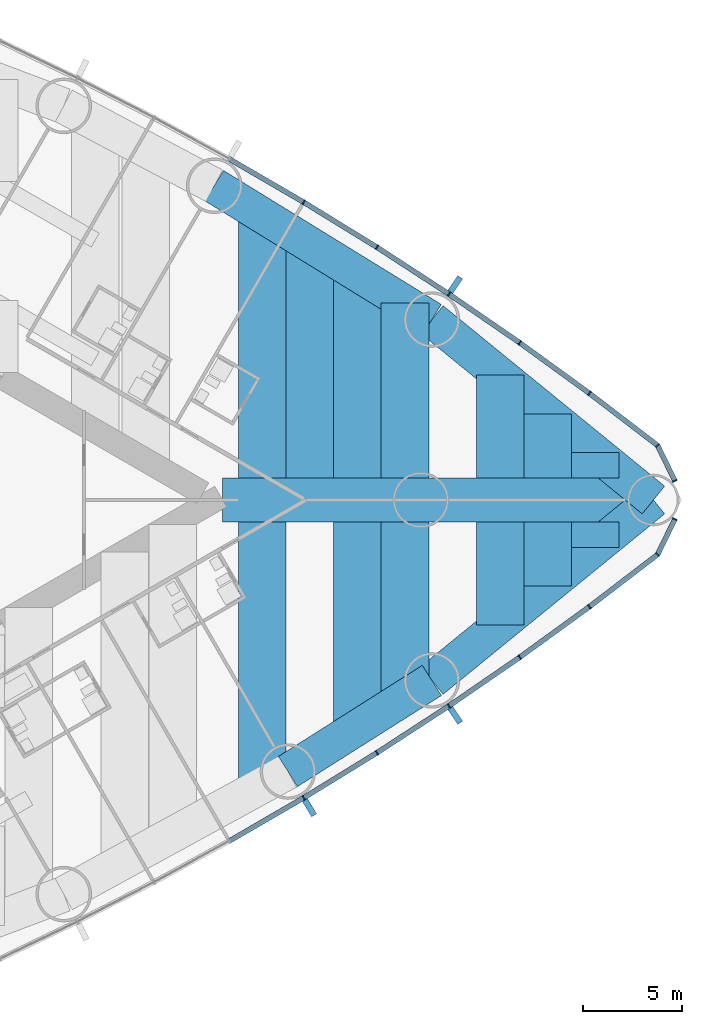
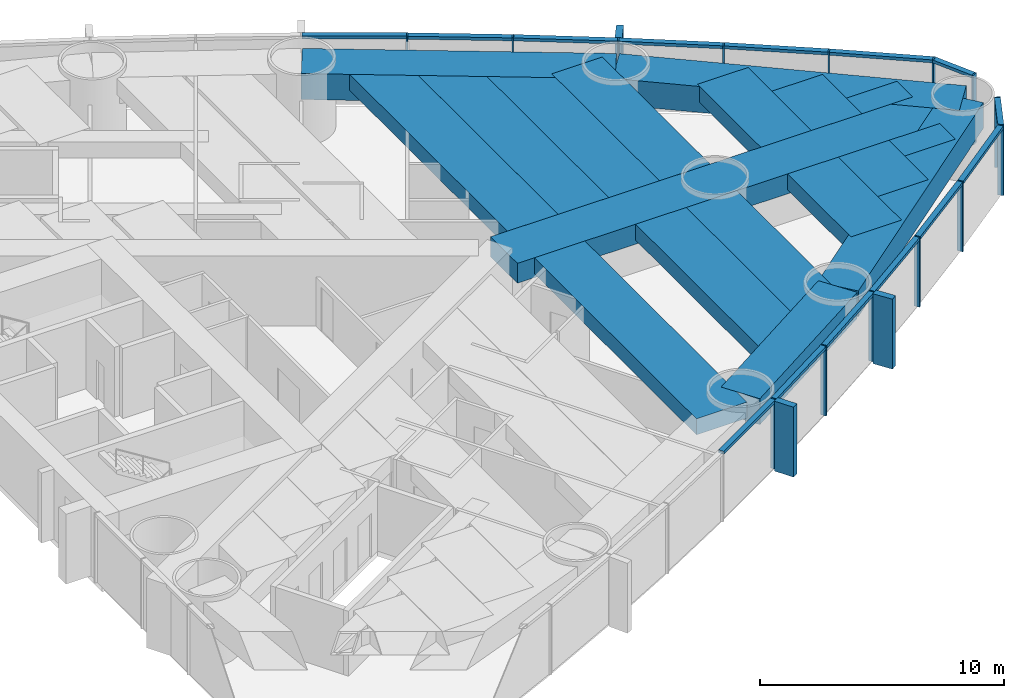
# One storey, part 8 of 19: 31 members, 18 beams, 2 elements without a shape of their own.
"""IFC4 building model written with IfcOpenShell, lengths in metres."""

from ifc_helpers import new_model, si_unit, direction, frame, origin, origin_2d, place, context, subcontext, project, spatial, rectangle, extrude, material, material_profile, profile_set, type_object, element, aggregate, save


model = new_model("IFC4")

# Units and contexts
model_context = context("Model", 3, precision=1e-05, world=origin(), true_north=direction((0.0, 1.0)))
body_context = subcontext(model_context, "Body", "Model", "MODEL_VIEW")
ifc_project = project(units=[si_unit("LENGTHUNIT", "METRE"), si_unit("AREAUNIT", "SQUARE_METRE"), si_unit("VOLUMEUNIT", "CUBIC_METRE"), si_unit("PLANEANGLEUNIT", "RADIAN"), si_unit("MASSUNIT", "GRAM", prefix="KILO")], contexts=[model_context])

# Site, building, storey
site_placement = place(None, origin())
site = spatial("IfcSite", under=ifc_project, at=site_placement, CompositionType="ELEMENT")
building_placement = place(site_placement, origin())
building = spatial("IfcBuilding", under=site, at=building_placement, Name="Lancet Gate Hotel", CompositionType="ELEMENT")
storey_placement = place(building_placement, frame((0.0, 0.0, 28.5)))
storey = spatial("IfcBuildingStorey", under=building, at=storey_placement, Name="L06", CompositionType="ELEMENT", Elevation=28.5)

# Curtain wall, members
ifc_material_1 = material(Name="Aluminium curtain wall", Category="aluminium")
curtain_wall_type = type_object("IfcCurtainWallType", Name="Tower unitised curtain wall", PredefinedType="USERDEFINED", material=ifc_material_1)
curtain_wall_1_placement = place(storey_placement, origin())
curtain_wall_1 = element("IfcCurtainWall", 1, at=curtain_wall_1_placement, inside=storey, type_object=curtain_wall_type, Name="T2 L06 curtain wall 2", ObjectType="UNITISED CURTAIN WALL", PredefinedType="USERDEFINED")
ifc_material_2 = material(Name="Aluminium mullion", Category="aluminium")
ifc_material_profile_1 = material_profile(ifc_material_2, rectangle(XDim=0.06494140625, YDim=0.25, at=origin_2d()), Name="MULLION 65x250")
ifc_profile_set_1 = profile_set([ifc_material_profile_1], Name="Aluminium mullion")
member_type_1 = type_object("IfcMemberType", Name="Aluminium mullion 65x250", PredefinedType="MULLION", material=ifc_profile_set_1)
member_1_placement = place(storey_placement, frame((55.590087890625, -15.03125, 0.0), z_axis=(0.0, 0.0, 1.0), x_axis=(0.858413008828, 0.512959166284, 0.0)))
member_1 = element("IfcMember", 2, at=member_1_placement, type_object=member_type_1, Name="T2 L06 curtain wall 2 mullion 8", PredefinedType="MULLION", context=body_context, shape_type="SweptSolid", body=[
    extrude(rectangle(XDim=0.06494140625, YDim=0.25, at=origin_2d()), origin(), (0.0, 0.0, 1.0), 3.5),
])
member_2_placement = place(storey_placement, frame((59.28515625, -12.7587890625, 0.0), z_axis=(0.0, 0.0, 1.0), x_axis=(0.845079420983, 0.534640788035, 0.0)))
member_2 = element("IfcMember", 3, at=member_2_placement, type_object=member_type_1, Name="T2 L06 curtain wall 2 mullion 9", PredefinedType="MULLION", context=body_context, shape_type="SweptSolid", body=[
    extrude(rectangle(XDim=0.06494140625, YDim=0.25, at=origin_2d()), origin(), (0.0, 0.0, 1.0), 3.5),
])
member_3_placement = place(storey_placement, frame((62.921142578125, -10.393310546875, 0.0), z_axis=(0.0, 0.0, 1.0), x_axis=(0.831198325377, 0.555976028162, 0.0)))
member_3 = element("IfcMember", 4, at=member_3_placement, type_object=member_type_1, Name="T2 L06 curtain wall 2 mullion 10", PredefinedType="MULLION", context=body_context, shape_type="SweptSolid", body=[
    extrude(rectangle(XDim=0.06494140625, YDim=0.25, at=origin_2d()), origin(), (0.0, 0.0, 1.0), 3.5),
])
member_4_placement = place(storey_placement, frame((66.49560546875, -7.935791015625, 0.0), z_axis=(0.0, 0.0, 1.0), x_axis=(0.816778715254, 0.576951064049, 0.0)))
member_4 = element("IfcMember", 5, at=member_4_placement, type_object=member_type_1, Name="T2 L06 curtain wall 2 mullion 11", PredefinedType="MULLION", context=body_context, shape_type="SweptSolid", body=[
    extrude(rectangle(XDim=0.06494140625, YDim=0.25, at=origin_2d()), origin(), (0.0, 0.0, 1.0), 3.5),
])
member_5_placement = place(storey_placement, frame((70.00634765625, -5.388427734375, 0.0), z_axis=(0.0, 0.0, 1.0), x_axis=(0.801829932754, 0.597552306447, 0.0)))
member_5 = element("IfcMember", 6, at=member_5_placement, type_object=member_type_1, Name="T2 L06 curtain wall 2 mullion 12", PredefinedType="MULLION", context=body_context, shape_type="SweptSolid", body=[
    extrude(rectangle(XDim=0.06494140625, YDim=0.25, at=origin_2d()), origin(), (0.0, 0.0, 1.0), 3.5),
])
member_6_placement = place(storey_placement, frame((73.451416015625, -2.752197265625, 0.0), z_axis=(0.0, 0.0, 1.0), x_axis=(0.697983022443, 0.716114306784, 0.0)))
member_6 = element("IfcMember", 7, at=member_6_placement, type_object=member_type_1, Name="T2 L06 curtain wall 2 mullion 13", PredefinedType="MULLION", context=body_context, shape_type="SweptSolid", body=[
    extrude(rectangle(XDim=0.06494140625, YDim=0.25, at=origin_2d()), origin(), (0.0, 0.0, 1.0), 3.5),
])
member_7_placement = place(storey_placement, frame((74.322265625, -0.96044921875, 0.0), z_axis=(0.0, 0.0, 1.0), x_axis=(0.437169070119, 0.899379343843, 0.0)))
member_7 = element("IfcMember", 8, at=member_7_placement, type_object=member_type_1, Name="T2 L06 curtain wall 2 mullion 14", PredefinedType="MULLION", context=body_context, shape_type="SweptSolid", body=[
    extrude(rectangle(XDim=0.06494140625, YDim=0.25, at=origin_2d()), origin(), (0.0, 0.0, 1.0), 3.5),
])

curtain_wall_2_placement = place(storey_placement, origin())
curtain_wall_2 = element("IfcCurtainWall", 9, at=curtain_wall_2_placement, inside=storey, type_object=curtain_wall_type, Name="T2 L06 curtain wall 3", ObjectType="UNITISED CURTAIN WALL", PredefinedType="USERDEFINED")
member_8_placement = place(storey_placement, frame((74.322265625, 0.96044921875, 0.0), z_axis=(0.0, 0.0, 1.0), x_axis=(-0.437169070119, 0.899379343843, 0.0)))
member_8 = element("IfcMember", 10, at=member_8_placement, type_object=member_type_1, Name="T2 L06 curtain wall 3 mullion 1", PredefinedType="MULLION", context=body_context, shape_type="SweptSolid", body=[
    extrude(rectangle(XDim=0.06494140625, YDim=0.25, at=origin_2d()), origin(), (0.0, 0.0, 1.0), 3.5),
])
member_9_placement = place(storey_placement, frame((73.451416015625, 2.752197265625, 0.0), z_axis=(0.0, 0.0, 1.0), x_axis=(-0.697983022443, 0.716114306784, 0.0)))
member_9 = element("IfcMember", 11, at=member_9_placement, type_object=member_type_1, Name="T2 L06 curtain wall 3 mullion 2", PredefinedType="MULLION", context=body_context, shape_type="SweptSolid", body=[
    extrude(rectangle(XDim=0.06494140625, YDim=0.25, at=origin_2d()), origin(), (0.0, 0.0, 1.0), 3.5),
])
member_10_placement = place(storey_placement, frame((70.00634765625, 5.388427734375, 0.0), z_axis=(0.0, 0.0, 1.0), x_axis=(-0.801829932754, 0.597552306447, 0.0)))
member_10 = element("IfcMember", 12, at=member_10_placement, type_object=member_type_1, Name="T2 L06 curtain wall 3 mullion 3", PredefinedType="MULLION", context=body_context, shape_type="SweptSolid", body=[
    extrude(rectangle(XDim=0.06494140625, YDim=0.25, at=origin_2d()), origin(), (0.0, 0.0, 1.0), 3.5),
])
member_11_placement = place(storey_placement, frame((66.49560546875, 7.935791015625, 0.0), z_axis=(0.0, 0.0, 1.0), x_axis=(-0.816778715254, 0.576951064049, 0.0)))
member_11 = element("IfcMember", 13, at=member_11_placement, type_object=member_type_1, Name="T2 L06 curtain wall 3 mullion 4", PredefinedType="MULLION", context=body_context, shape_type="SweptSolid", body=[
    extrude(rectangle(XDim=0.06494140625, YDim=0.25, at=origin_2d()), origin(), (0.0, 0.0, 1.0), 3.5),
])
member_12_placement = place(storey_placement, frame((62.921142578125, 10.393310546875, 0.0), z_axis=(0.0, 0.0, 1.0), x_axis=(-0.831198325377, 0.555976028162, 0.0)))
member_12 = element("IfcMember", 14, at=member_12_placement, type_object=member_type_1, Name="T2 L06 curtain wall 3 mullion 5", PredefinedType="MULLION", context=body_context, shape_type="SweptSolid", body=[
    extrude(rectangle(XDim=0.06494140625, YDim=0.25, at=origin_2d()), origin(), (0.0, 0.0, 1.0), 3.5),
])
member_13_placement = place(storey_placement, frame((59.28515625, 12.7587890625, 0.0), z_axis=(0.0, 0.0, 1.0), x_axis=(-0.845079420983, 0.534640788035, 0.0)))
member_13 = element("IfcMember", 15, at=member_13_placement, type_object=member_type_1, Name="T2 L06 curtain wall 3 mullion 6", PredefinedType="MULLION", context=body_context, shape_type="SweptSolid", body=[
    extrude(rectangle(XDim=0.06494140625, YDim=0.25, at=origin_2d()), origin(), (0.0, 0.0, 1.0), 3.5),
])
member_14_placement = place(storey_placement, frame((55.590087890625, 15.03125, 0.0), z_axis=(0.0, 0.0, 1.0), x_axis=(-0.858413008828, 0.512959166284, 0.0)))
member_14 = element("IfcMember", 16, at=member_14_placement, type_object=member_type_1, Name="T2 L06 curtain wall 3 mullion 7", PredefinedType="MULLION", context=body_context, shape_type="SweptSolid", body=[
    extrude(rectangle(XDim=0.06494140625, YDim=0.25, at=origin_2d()), origin(), (0.0, 0.0, 1.0), 3.5),
])

# Member
ifc_material_3 = material(Name="Aluminium transom", Category="aluminium")
ifc_material_profile_2 = material_profile(ifc_material_3, rectangle(XDim=0.25, YDim=0.14990234375, at=origin_2d()), Name="TRANSOM 250x150")
ifc_profile_set_2 = profile_set([ifc_material_profile_2], Name="Aluminium transom")
member_type_2 = type_object("IfcMemberType", Name="Aluminium transom 250x150", PredefinedType="USERDEFINED", material=ifc_profile_set_2)
member_15_placement = place(storey_placement, frame((51.86669921875, -17.1923828125, 3.425048828125), z_axis=(0.864854571156, 0.502022480324, 0.0), x_axis=(-0.502022480324, 0.864854571156, 0.0)))
member_15 = element("IfcMember", 17, at=member_15_placement, type_object=member_type_2, Name="T2 L06 curtain wall 2 transom 7", ObjectType="TRANSOM", PredefinedType="USERDEFINED", context=body_context, shape_type="SweptSolid", body=[
    extrude(rectangle(XDim=0.25, YDim=0.14990234375, at=origin_2d()), origin(), (0.0, 0.0, 1.0), 4.272705078125),
])

member_16_placement = place(storey_placement, frame((55.617919921875, -15.01416015625, 3.425048828125), z_axis=(0.851815224451, 0.523842365023, 0.0), x_axis=(-0.523842365023, 0.851815224451, 0.0)))
member_16 = element("IfcMember", 18, at=member_16_placement, type_object=member_type_2, Name="T2 L06 curtain wall 2 transom 8", ObjectType="TRANSOM", PredefinedType="USERDEFINED", context=body_context, shape_type="SweptSolid", body=[
    extrude(rectangle(XDim=0.25, YDim=0.14990234375, at=origin_2d()), origin(), (0.0, 0.0, 1.0), 4.272705078125),
])

member_17_placement = place(storey_placement, frame((59.3125, -12.7412109375, 3.425048828125), z_axis=(0.83817850664, 0.545395994674, 0.0), x_axis=(-0.545395994674, 0.83817850664, 0.0)))
member_17 = element("IfcMember", 19, at=member_17_placement, type_object=member_type_2, Name="T2 L06 curtain wall 2 transom 9", ObjectType="TRANSOM", PredefinedType="USERDEFINED", context=body_context, shape_type="SweptSolid", body=[
    extrude(rectangle(XDim=0.25, YDim=0.14990234375, at=origin_2d()), origin(), (0.0, 0.0, 1.0), 4.272705078125),
])

member_18_placement = place(storey_placement, frame((62.94775390625, -10.374755859375, 3.425048828125), z_axis=(0.824071932869, 0.566485171437, 0.0), x_axis=(-0.566485171437, 0.824071932869, 0.0)))
member_18 = element("IfcMember", 20, at=member_18_placement, type_object=member_type_2, Name="T2 L06 curtain wall 2 transom 10", ObjectType="TRANSOM", PredefinedType="USERDEFINED", context=body_context, shape_type="SweptSolid", body=[
    extrude(rectangle(XDim=0.25, YDim=0.14990234375, at=origin_2d()), origin(), (0.0, 0.0, 1.0), 4.272705078125),
])

member_19_placement = place(storey_placement, frame((66.52197265625, -7.916748046875, 3.425048828125), z_axis=(0.809382971085, 0.587281198505, 0.0), x_axis=(-0.587281198505, 0.809382971085, 0.0)))
member_19 = element("IfcMember", 21, at=member_19_placement, type_object=member_type_2, Name="T2 L06 curtain wall 2 transom 11", ObjectType="TRANSOM", PredefinedType="USERDEFINED", context=body_context, shape_type="SweptSolid", body=[
    extrude(rectangle(XDim=0.25, YDim=0.14990234375, at=origin_2d()), origin(), (0.0, 0.0, 1.0), 4.272705078125),
])

member_20_placement = place(storey_placement, frame((70.0322265625, -5.36865234375, 3.425048828125), z_axis=(0.794155062652, 0.607715177089, 0.0), x_axis=(-0.607715177089, 0.794155062652, 0.0)))
member_20 = element("IfcMember", 22, at=member_20_placement, type_object=member_type_2, Name="T2 L06 curtain wall 2 transom 12", ObjectType="TRANSOM", PredefinedType="USERDEFINED", context=body_context, shape_type="SweptSolid", body=[
    extrude(rectangle(XDim=0.25, YDim=0.14990234375, at=origin_2d()), origin(), (0.0, 0.0, 1.0), 4.27294921875),
])

member_21_placement = place(storey_placement, frame((73.465576171875, -2.72314453125, 3.425048828125), z_axis=(0.437103060611, 0.899411426659, 0.0), x_axis=(-0.899411426659, 0.437103060611, 0.0)))
member_21 = element("IfcMember", 23, at=member_21_placement, type_object=member_type_2, Name="T2 L06 curtain wall 2 transom 13", ObjectType="TRANSOM", PredefinedType="USERDEFINED", context=body_context, shape_type="SweptSolid", body=[
    extrude(rectangle(XDim=0.25, YDim=0.14990234375, at=origin_2d()), origin(), (0.0, 0.0, 1.0), 1.927490234375),
])

member_22_placement = place(storey_placement, frame((74.30810546875, 0.989501953125, 3.425048828125), z_axis=(-0.437103060611, 0.899411426659, 0.0), x_axis=(-0.899411426659, -0.437103060611, 0.0)))
member_22 = element("IfcMember", 24, at=member_22_placement, type_object=member_type_2, Name="T2 L06 curtain wall 3 transom 1", ObjectType="TRANSOM", PredefinedType="USERDEFINED", context=body_context, shape_type="SweptSolid", body=[
    extrude(rectangle(XDim=0.25, YDim=0.14990234375, at=origin_2d()), origin(), (0.0, 0.0, 1.0), 1.927490234375),
])

member_23_placement = place(storey_placement, frame((73.425537109375, 2.77197265625, 3.425048828125), z_axis=(-0.794155062652, 0.607715177089, 0.0), x_axis=(-0.607715177089, -0.794155062652, 0.0)))
member_23 = element("IfcMember", 25, at=member_23_placement, type_object=member_type_2, Name="T2 L06 curtain wall 3 transom 2", ObjectType="TRANSOM", PredefinedType="USERDEFINED", context=body_context, shape_type="SweptSolid", body=[
    extrude(rectangle(XDim=0.25, YDim=0.14990234375, at=origin_2d()), origin(), (0.0, 0.0, 1.0), 4.27294921875),
])

member_24_placement = place(storey_placement, frame((69.980224609375, 5.407470703125, 3.425048828125), z_axis=(-0.809382971085, 0.587281198505, 0.0), x_axis=(-0.587281198505, -0.809382971085, 0.0)))
member_24 = element("IfcMember", 26, at=member_24_placement, type_object=member_type_2, Name="T2 L06 curtain wall 3 transom 3", ObjectType="TRANSOM", PredefinedType="USERDEFINED", context=body_context, shape_type="SweptSolid", body=[
    extrude(rectangle(XDim=0.25, YDim=0.14990234375, at=origin_2d()), origin(), (0.0, 0.0, 1.0), 4.272705078125),
])

member_25_placement = place(storey_placement, frame((66.46875, 7.954345703125, 3.425048828125), z_axis=(-0.824071932869, 0.566485171437, 0.0), x_axis=(-0.566485171437, -0.824071932869, 0.0)))
member_25 = element("IfcMember", 27, at=member_25_placement, type_object=member_type_2, Name="T2 L06 curtain wall 3 transom 4", ObjectType="TRANSOM", PredefinedType="USERDEFINED", context=body_context, shape_type="SweptSolid", body=[
    extrude(rectangle(XDim=0.25, YDim=0.14990234375, at=origin_2d()), origin(), (0.0, 0.0, 1.0), 4.272705078125),
])

member_26_placement = place(storey_placement, frame((62.893798828125, 10.410888671875, 3.425048828125), z_axis=(-0.83817850664, 0.545395994674, 0.0), x_axis=(-0.545395994674, -0.83817850664, 0.0)))
member_26 = element("IfcMember", 28, at=member_26_placement, type_object=member_type_2, Name="T2 L06 curtain wall 3 transom 5", ObjectType="TRANSOM", PredefinedType="USERDEFINED", context=body_context, shape_type="SweptSolid", body=[
    extrude(rectangle(XDim=0.25, YDim=0.14990234375, at=origin_2d()), origin(), (0.0, 0.0, 1.0), 4.272705078125),
])

member_27_placement = place(storey_placement, frame((59.257568359375, 12.77587890625, 3.425048828125), z_axis=(-0.851815224451, 0.523842365023, 0.0), x_axis=(-0.523842365023, -0.851815224451, 0.0)))
member_27 = element("IfcMember", 29, at=member_27_placement, type_object=member_type_2, Name="T2 L06 curtain wall 3 transom 6", ObjectType="TRANSOM", PredefinedType="USERDEFINED", context=body_context, shape_type="SweptSolid", body=[
    extrude(rectangle(XDim=0.25, YDim=0.14990234375, at=origin_2d()), origin(), (0.0, 0.0, 1.0), 4.272705078125),
])

member_28_placement = place(storey_placement, frame((55.56201171875, 15.04736328125, 3.425048828125), z_axis=(-0.864854571156, 0.502022480324, 0.0), x_axis=(-0.502022480324, -0.864854571156, 0.0)))
member_28 = element("IfcMember", 30, at=member_28_placement, type_object=member_type_2, Name="T2 L06 curtain wall 3 transom 7", ObjectType="TRANSOM", PredefinedType="USERDEFINED", context=body_context, shape_type="SweptSolid", body=[
    extrude(rectangle(XDim=0.25, YDim=0.14990234375, at=origin_2d()), origin(), (0.0, 0.0, 1.0), 4.272705078125),
])

# Beams
ifc_material_4 = material(Name="Concrete C50/60", Category="concrete")
ifc_material_profile_3 = material_profile(ifc_material_4, rectangle(XDim=1.800048828125, YDim=1.300048828125, at=origin_2d()), Name="RC 1800x1300")
ifc_profile_set_3 = profile_set([ifc_material_profile_3], Name="Concrete C50/60")
beam_type_1 = type_object("IfcBeamType", Name="Edge beam RC 1800x1300", PredefinedType="SPANDREL", material=ifc_profile_set_3)
beam_1_placement = place(storey_placement, frame((54.795166015625, -13.70068359375, 2.60009765625), z_axis=(0.845078312276, 0.534642540508, 0.0), x_axis=(-0.534642540508, 0.845078312276, 0.0)))
element("IfcBeam", 31, at=beam_1_placement, inside=storey, type_object=beam_type_1, Name="T2 edge beam EB1 L06", PredefinedType="SPANDREL", context=body_context, shape_type="SweptSolid", body=[
    extrude(rectangle(XDim=1.800048828125, YDim=1.300048828125, at=origin_2d()), origin(), (0.0, 0.0, 1.0), 8.595947265625),
])
for number, where, z_axis, x_axis, name in (
    (32, (62.059326171875, -9.10498046875, 2.60009765625), (0.775390970005, 0.631481467372, 0.0), (-0.631481467372, 0.775390970005, 0.0), "T2 edge beam EB1 L06"),
    (33, (73.2392578125, 0.0, 2.60009765625), (-0.775390970005, 0.631481467372, 0.0), (-0.631481467372, -0.775390970005, 0.0), "T2 edge beam EB1 L06"),
):
    element("IfcBeam", number, at=place(storey_placement, frame(where, z_axis=z_axis, x_axis=x_axis)), inside=storey, type_object=beam_type_1, Name=name, PredefinedType="SPANDREL", context=body_context, shape_type="SweptSolid", body=[
        extrude(rectangle(XDim=1.800048828125, YDim=1.300048828125, at=origin_2d()), origin(), (0.0, 0.0, 1.0), 14.41845703125),
    ])
beam_2_placement = place(storey_placement, frame((62.059326171875, 9.10498046875, 2.60009765625), z_axis=(-0.851815628025, 0.523841708775, 0.0), x_axis=(-0.523841708775, -0.851815628025, 0.0)))
element("IfcBeam", 34, at=beam_2_placement, inside=storey, type_object=beam_type_1, Name="T2 edge beam EB1 L06", PredefinedType="SPANDREL", context=body_context, shape_type="SweptSolid", body=[
    extrude(rectangle(XDim=1.800048828125, YDim=1.300048828125, at=origin_2d()), origin(), (0.0, 0.0, 1.0), 12.89208984375),
])

# Member
ifc_material_5 = material(Name="Precast concrete C50/60", Category="concrete")
ifc_material_profile_4 = material_profile(ifc_material_5, rectangle(XDim=0.300048828125, YDim=0.89990234375, at=origin_2d()), Name="FIN 300x900")
ifc_profile_set_4 = profile_set([ifc_material_profile_4], Name="Precast concrete C50/60")
member_type_3 = type_object("IfcMemberType", Name="Exposed concrete fin 300x900", PredefinedType="USERDEFINED", material=ifc_profile_set_4)
member_29_placement = place(storey_placement, frame((55.88525390625, -15.524658203125, 0.0), z_axis=(0.0, 0.0, 1.0), x_axis=(0.858413008828, 0.512959166284, 0.0)))
member_29 = element("IfcMember", 35, at=member_29_placement, type_object=member_type_3, Name="T2 L06 curtain wall 2 fin 8", ObjectType="FIN", PredefinedType="USERDEFINED", context=body_context, shape_type="SweptSolid", body=[
    extrude(rectangle(XDim=0.300048828125, YDim=0.89990234375, at=origin_2d()), origin(), (0.0, 0.0, 1.0), 3.5),
])

member_30_placement = place(storey_placement, frame((63.24072265625, -10.87109375, 0.0), z_axis=(0.0, 0.0, 1.0), x_axis=(0.831198325377, 0.555976028162, 0.0)))
member_30 = element("IfcMember", 36, at=member_30_placement, type_object=member_type_3, Name="T2 L06 curtain wall 2 fin 10", ObjectType="FIN", PredefinedType="USERDEFINED", context=body_context, shape_type="SweptSolid", body=[
    extrude(rectangle(XDim=0.300048828125, YDim=0.89990234375, at=origin_2d()), origin(), (0.0, 0.0, 1.0), 3.5),
])

aggregate(curtain_wall_1, [member_1, member_29, member_2, member_3, member_30, member_4, member_5, member_6, member_7, member_15, member_16, member_17, member_18, member_19, member_20, member_21])

member_31_placement = place(storey_placement, frame((63.24072265625, 10.87109375, 0.0), z_axis=(0.0, 0.0, 1.0), x_axis=(-0.831198325377, 0.555976028162, 0.0)))
member_31 = element("IfcMember", 37, at=member_31_placement, type_object=member_type_3, Name="T2 L06 curtain wall 3 fin 5", ObjectType="FIN", PredefinedType="USERDEFINED", context=body_context, shape_type="SweptSolid", body=[
    extrude(rectangle(XDim=0.300048828125, YDim=0.89990234375, at=origin_2d()), origin(), (0.0, 0.0, 1.0), 3.5),
])

aggregate(curtain_wall_2, [member_8, member_9, member_10, member_11, member_12, member_31, member_13, member_14, member_22, member_23, member_24, member_25, member_26, member_27, member_28])

# Beams
ifc_material_6 = material(Name="Concrete C50/60", Category="concrete")
ifc_material_profile_5 = material_profile(ifc_material_6, rectangle(XDim=2.39990234375, YDim=0.800048828125, at=origin_2d()), Name="RC 2400x800")
ifc_profile_set_5 = profile_set([ifc_material_profile_5], Name="Concrete C50/60")
beam_type_2 = type_object("IfcBeamType", Name="Floor beam RC 2400x800", PredefinedType="BEAM", material=ifc_profile_set_5)
beam_3_placement = place(storey_placement, frame((53.502197265625, -14.40771484375, 2.85009765625), z_axis=(0.0, 1.0, 0.0), x_axis=(-1.0, 0.0, 0.0)))
element("IfcBeam", 38, at=beam_3_placement, inside=storey, type_object=beam_type_2, Name="T2 floor beam F16S L06", PredefinedType="BEAM", context=body_context, shape_type="SweptSolid", body=[
    extrude(rectangle(XDim=2.39990234375, YDim=0.800048828125, at=origin_2d()), origin(), (0.0, 0.0, 1.0), 13.3076171875),
])
beam_4_placement = place(storey_placement, frame((53.502197265625, 1.10009765625, 2.85009765625), z_axis=(0.0, 1.0, 0.0), x_axis=(-1.0, 0.0, 0.0)))
element("IfcBeam", 39, at=beam_4_placement, inside=storey, type_object=beam_type_2, Name="T2 floor beam F17N L06", PredefinedType="BEAM", context=body_context, shape_type="SweptSolid", body=[
    extrude(rectangle(XDim=2.39990234375, YDim=0.800048828125, at=origin_2d()), origin(), (0.0, 0.0, 1.0), 13.26708984375),
])
beam_5_placement = place(storey_placement, frame((55.90234375, 1.10009765625, 2.85009765625), z_axis=(0.0, 1.0, 0.0), x_axis=(-1.0, 0.0, 0.0)))
element("IfcBeam", 40, at=beam_5_placement, inside=storey, type_object=beam_type_2, Name="T2 floor beam F18N L06", PredefinedType="BEAM", context=body_context, shape_type="SweptSolid", body=[
    extrude(rectangle(XDim=2.39990234375, YDim=0.800048828125, at=origin_2d()), origin(), (0.0, 0.0, 1.0), 11.791259765625),
])
beam_6_placement = place(storey_placement, frame((58.30224609375, -11.48193359375, 2.85009765625), z_axis=(0.0, 1.0, 0.0), x_axis=(-1.0, 0.0, 0.0)))
element("IfcBeam", 41, at=beam_6_placement, inside=storey, type_object=beam_type_2, Name="T2 floor beam F19S L06", PredefinedType="BEAM", context=body_context, shape_type="SweptSolid", body=[
    extrude(rectangle(XDim=2.39990234375, YDim=0.800048828125, at=origin_2d()), origin(), (0.0, 0.0, 1.0), 10.3818359375),
])
beam_7_placement = place(storey_placement, frame((58.30224609375, 1.10009765625, 2.85009765625), z_axis=(0.0, 1.0, 0.0), x_axis=(-1.0, 0.0, 0.0)))
element("IfcBeam", 42, at=beam_7_placement, inside=storey, type_object=beam_type_2, Name="T2 floor beam F20N L06", PredefinedType="BEAM", context=body_context, shape_type="SweptSolid", body=[
    extrude(rectangle(XDim=2.39990234375, YDim=0.800048828125, at=origin_2d()), origin(), (0.0, 0.0, 1.0), 10.3154296875),
])
beam_8_placement = place(storey_placement, frame((60.7021484375, -9.96337890625, 2.85009765625), z_axis=(0.0, 1.0, 0.0), x_axis=(-1.0, 0.0, 0.0)))
element("IfcBeam", 43, at=beam_8_placement, inside=storey, type_object=beam_type_2, Name="T2 floor beam F21S L06", PredefinedType="BEAM", context=body_context, shape_type="SweptSolid", body=[
    extrude(rectangle(XDim=2.39990234375, YDim=0.800048828125, at=origin_2d()), origin(), (0.0, 0.0, 1.0), 8.86328125),
])
beam_9_placement = place(storey_placement, frame((60.7021484375, 1.10009765625, 2.85009765625), z_axis=(0.0, 1.0, 0.0), x_axis=(-1.0, 0.0, 0.0)))
element("IfcBeam", 44, at=beam_9_placement, inside=storey, type_object=beam_type_2, Name="T2 floor beam F22N L06", PredefinedType="BEAM", context=body_context, shape_type="SweptSolid", body=[
    extrude(rectangle(XDim=2.39990234375, YDim=0.800048828125, at=origin_2d()), origin(), (0.0, 0.0, 1.0), 8.83935546875),
])
for number, where, z_axis, x_axis, name in (
    (45, (65.502197265625, -6.301025390625, 2.85009765625), (0.0, 1.0, 0.0), (-1.0, 0.0, 0.0), "T2 floor beam F23S L06"),
    (46, (65.502197265625, 1.10009765625, 2.85009765625), (0.0, 1.0, 0.0), (-1.0, 0.0, 0.0), "T2 floor beam F24N L06"),
):
    element("IfcBeam", number, at=place(storey_placement, frame(where, z_axis=z_axis, x_axis=x_axis)), inside=storey, type_object=beam_type_2, Name=name, PredefinedType="BEAM", context=body_context, shape_type="SweptSolid", body=[
        extrude(rectangle(XDim=2.39990234375, YDim=0.800048828125, at=origin_2d()), origin(), (0.0, 0.0, 1.0), 5.200927734375),
    ])
for number, where, z_axis, x_axis, name in (
    (47, (67.90234375, -4.346435546875, 2.85009765625), (0.0, 1.0, 0.0), (-1.0, 0.0, 0.0), "T2 floor beam F25S L06"),
    (48, (67.90234375, 1.10009765625, 2.85009765625), (0.0, 1.0, 0.0), (-1.0, 0.0, 0.0), "T2 floor beam F26N L06"),
):
    element("IfcBeam", number, at=place(storey_placement, frame(where, z_axis=z_axis, x_axis=x_axis)), inside=storey, type_object=beam_type_2, Name=name, PredefinedType="BEAM", context=body_context, shape_type="SweptSolid", body=[
        extrude(rectangle(XDim=2.39990234375, YDim=0.800048828125, at=origin_2d()), origin(), (0.0, 0.0, 1.0), 3.246337890625),
    ])
for number, where, z_axis, x_axis, name in (
    (49, (70.30224609375, -2.391845703125, 2.85009765625), (0.0, 1.0, 0.0), (-1.0, 0.0, 0.0), "T2 floor beam F27S L06"),
    (50, (70.30224609375, 1.10009765625, 2.85009765625), (0.0, 1.0, 0.0), (-1.0, 0.0, 0.0), "T2 floor beam F28N L06"),
):
    element("IfcBeam", number, at=place(storey_placement, frame(where, z_axis=z_axis, x_axis=x_axis)), inside=storey, type_object=beam_type_2, Name=name, PredefinedType="BEAM", context=body_context, shape_type="SweptSolid", body=[
        extrude(rectangle(XDim=2.39990234375, YDim=0.800048828125, at=origin_2d()), origin(), (0.0, 0.0, 1.0), 1.291748046875),
    ])
ifc_material_7 = material(Name="Concrete C50/60", Category="concrete")
ifc_material_profile_6 = material_profile(ifc_material_7, rectangle(XDim=2.199951171875, YDim=1.0, at=origin_2d()), Name="RC 2200x1000")
ifc_profile_set_6 = profile_set([ifc_material_profile_6], Name="Concrete C50/60")
beam_type_3 = type_object("IfcBeamType", Name="Radial floor beam RC 2200x1000", PredefinedType="BEAM", material=ifc_profile_set_6)
beam_10_placement = place(storey_placement, frame((73.2392578125, 0.0, 2.75), z_axis=(-1.0, 0.0, 0.0), x_axis=(0.0, -1.0, 0.0)))
element("IfcBeam", 51, at=beam_10_placement, inside=storey, type_object=beam_type_3, Name="T2 radial beam CA L06", PredefinedType="BEAM", context=body_context, shape_type="SweptSolid", body=[
    extrude(rectangle(XDim=2.199951171875, YDim=1.0, at=origin_2d()), origin(), (0.0, 0.0, 1.0), 21.737060546875),
])

save(model, "model.ifc")
